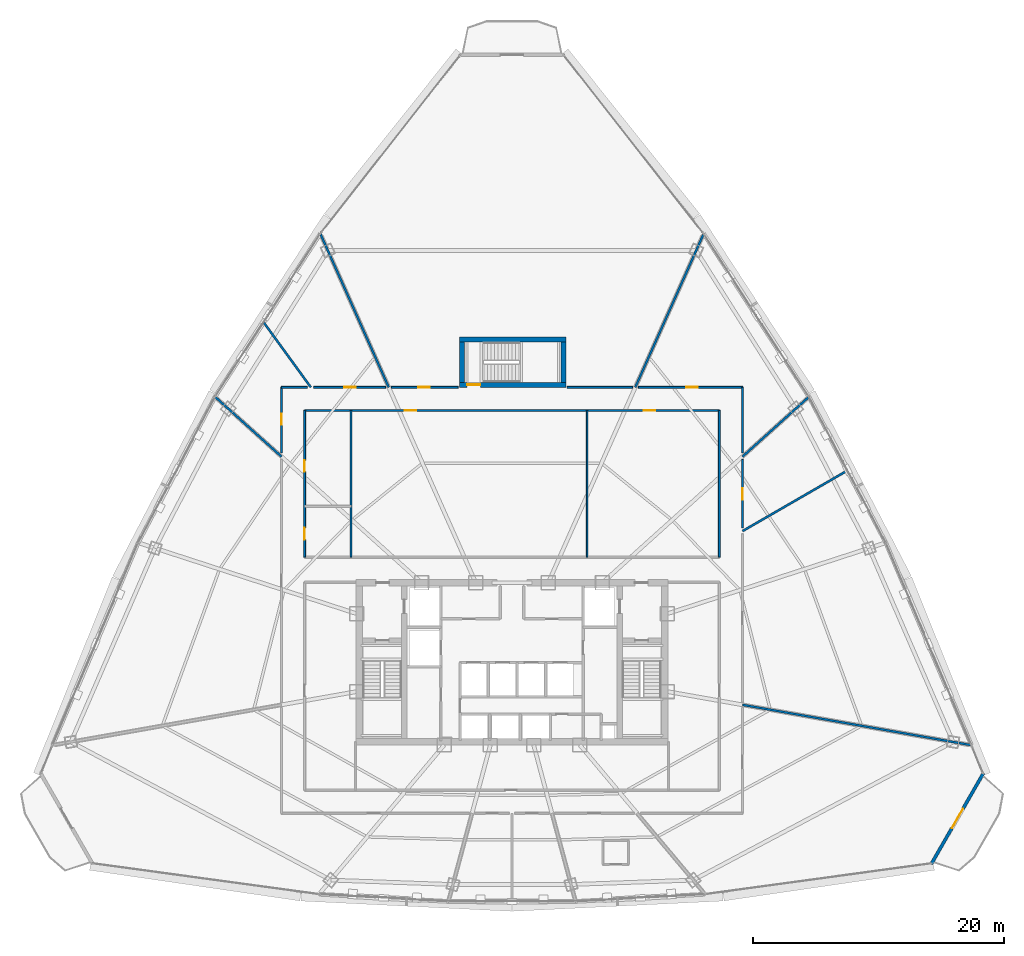
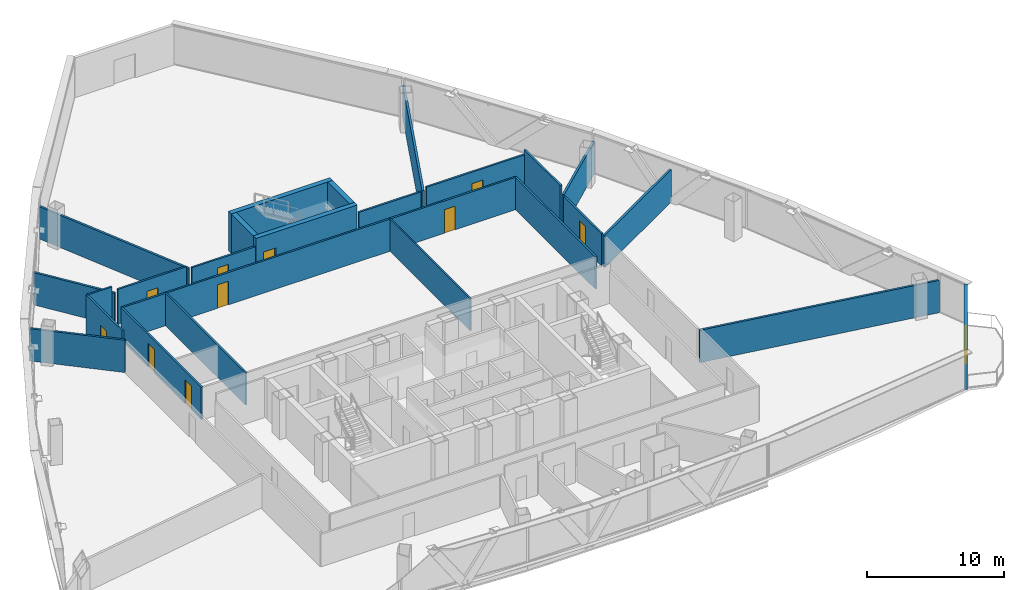
# One storey, part 31 of 36: 25 walls, 11 doors, 11 openings.
"""IFC4 building model written with IfcOpenShell, lengths in metres."""

from ifc_helpers import new_model, si_unit, direction, frame, frame_2d, origin, origin_with_axes, place, context, subcontext, project, spatial, rectangle, extrude, source, transform, mapped, material, layer, layer_set, type_object, element, fill, save


model = new_model("IFC4")

# Units and contexts
model_context = context("Model", 3, precision=1e-05, world=origin(), true_north=direction((0.0, 1.0)))
body_context = subcontext(model_context, "Body", "Model", "MODEL_VIEW")
ifc_project = project(units=[si_unit("LENGTHUNIT", "METRE"), si_unit("AREAUNIT", "SQUARE_METRE"), si_unit("VOLUMEUNIT", "CUBIC_METRE"), si_unit("PLANEANGLEUNIT", "RADIAN"), si_unit("MASSUNIT", "GRAM", prefix="KILO"), si_unit("THERMODYNAMICTEMPERATUREUNIT", "KELVIN"), si_unit("POWERUNIT", "WATT")], contexts=[model_context])

# Site, building, storey
site_placement = place(None, origin())
site = spatial("IfcSite", under=ifc_project, at=site_placement, CompositionType="ELEMENT")
building_placement = place(site_placement, origin())
building = spatial("IfcBuilding", under=site, at=building_placement, Name="Yunzhuo Pagoda Commons", CompositionType="ELEMENT")
storey_placement = place(building_placement, frame((0.0, 0.0, 215.159912109375)))
storey = spatial("IfcBuildingStorey", under=building, at=storey_placement, Name="L54", CompositionType="ELEMENT", Elevation=215.159912109375)

# Wall, opening, door
ifc_material_1 = material(Name="Precast concrete C40", Category="concrete")
ifc_layer_1 = layer(ifc_material_1, 0.260009765625)
ifc_layer_set_1 = layer_set([ifc_layer_1], Name="Precast concrete C40")
wall_type_1 = type_object("IfcWallType", Name="W-BAL1 Corner Balcony Threshold Wall 260", PredefinedType="STANDARD", material=ifc_layer_set_1)
wall_1_placement = place(storey_placement, frame((81.465576171875, 17.74951171875, 0.0), z_axis=(0.0, 0.0, 1.0), x_axis=(0.497934125263, 0.867214856249, 0.0)))
wall_1 = element("IfcWall", 1, at=wall_1_placement, inside=storey, type_object=wall_type_1, Name="L54 corner balcony wall V2", PredefinedType="STANDARD", context=body_context, shape_type="SweptSolid", body=[
    extrude(rectangle(XDim=8.37255859375, YDim=0.260009765625, at=frame_2d((4.186279296875, 0.0))), origin(), (0.0, 0.0, 1.0), 3.52001953125),
])
opening_1_placement = place(wall_1_placement, frame((3.286376953125, 0.0, 0.0)))
opening_1 = element("IfcOpeningElement", 2, at=opening_1_placement, cuts=wall_1, Name="Opening D-BAL1", PredefinedType="OPENING", context=body_context, shape_type="SweptSolid", body=[
    extrude(rectangle(XDim=1.800048828125, YDim=2.14990234375, at=frame_2d((0.89990234375, 1.074951171875))), frame((0.0, 0.14013671875, 0.0), z_axis=(0.0, -1.0, 0.0), x_axis=(1.0, 0.0, 0.0)), (0.0, 0.0, 1.0), 0.280029296875),
])
ifc_material_2 = material(Name="Anodized aluminium frame and tempered glazed leaf", Category="aluminium")
door_type_1 = type_object("IfcDoorType", Name="D-BAL1 Corner Balcony Sliding Glazed Door 1800x2150", OperationType="DOUBLE_DOOR_SLIDING", PredefinedType="DOOR", material=ifc_material_2)
shared_shape_1 = source(origin(), body_context, "Body", "SweptSolid", [
    extrude(rectangle(XDim=1.800048828125, YDim=2.14990234375, at=frame_2d((0.89990234375, 1.074951171875))), frame((0.0, 0.02490234375, 0.0), z_axis=(0.0, -1.0, 0.0), x_axis=(1.0, 0.0, 0.0)), (0.0, 0.0, 1.0), 0.050048828125),
])
door_1_placement = place(opening_1_placement, origin_with_axes())
door_1 = element("IfcDoor", 3, at=door_1_placement, inside=storey, type_object=door_type_1, Name="L54 corner balcony sliding door V2", OperationType="DOUBLE_DOOR_SLIDING", OverallHeight=2.14990234375, OverallWidth=1.800048828125, PredefinedType="DOOR", context=body_context, shape_type="MappedRepresentation", body=[
    mapped(shared_shape_1, transform((0.0, 0.0, 0.0), scale=1.0)),
])
fill(opening_1, door_1)

# Wall, openings, doors
ifc_material_3 = material(Name="Gypsum plasterboard on acoustic stud")
ifc_layer_2 = layer(ifc_material_3, 0.155029296875)
ifc_layer_set_2 = layer_set([ifc_layer_2], Name="Gypsum plasterboard on acoustic stud")
wall_type_2 = type_object("IfcWallType", Name="W-COR2 Mid-Zone Rated Corridor Wall 155", PredefinedType="PARTITIONING", material=ifc_layer_set_2)
wall_2_placement = place(storey_placement, frame((31.449951171875, 53.949951171875, 0.0), z_axis=(0.0, 0.0, 1.0), x_axis=(1.0, 0.0, 0.0)))
wall_2 = element("IfcWall", 4, at=wall_2_placement, inside=storey, type_object=wall_type_2, Name="L54 interior wall IW-L54-MCNN", PredefinedType="PARTITIONING", context=body_context, shape_type="SweptSolid", body=[
    extrude(rectangle(XDim=33.10009765625, YDim=0.155029296875, at=frame_2d((16.550048828125, 0.0))), origin(), (0.0, 0.0, 1.0), 2.8701171875),
])
opening_2_placement = place(wall_2_placement, frame((8.0, 0.0, 0.0)))
opening_2 = element("IfcOpeningElement", 5, at=opening_2_placement, cuts=wall_2, Name="Opening D-04", PredefinedType="OPENING", context=body_context, shape_type="SweptSolid", body=[
    extrude(rectangle(XDim=0.919921875, YDim=2.10009765625, at=frame_2d((0.4599609375, 1.050048828125))), frame((0.0, 0.08740234375, 0.0), z_axis=(0.0, -1.0, 0.0), x_axis=(1.0, 0.0, 0.0)), (0.0, 0.0, 1.0), 0.175048828125),
])
opening_3_placement = place(wall_2_placement, frame((27.050048828125, 0.0, 0.0)))
opening_3 = element("IfcOpeningElement", 6, at=opening_3_placement, cuts=wall_2, Name="Opening D-04", PredefinedType="OPENING", context=body_context, shape_type="SweptSolid", body=[
    extrude(rectangle(XDim=0.919921875, YDim=2.10009765625, at=frame_2d((0.4599609375, 1.050048828125))), frame((0.0, 0.08740234375, 0.0), z_axis=(0.0, -1.0, 0.0), x_axis=(1.0, 0.0, 0.0)), (0.0, 0.0, 1.0), 0.175048828125),
])
ifc_material_4 = material(Name="Powder-coated aluminium and timber acoustic leaf", Category="wood")
door_type_2 = type_object("IfcDoorType", Name="D-04 Bedroom & Study Interior Door 920x2100", OperationType="NOTDEFINED", PredefinedType="DOOR", material=ifc_material_4)
shared_shape_2 = source(origin(), body_context, "Body", "SweptSolid", [
    extrude(rectangle(XDim=0.919921875, YDim=2.10009765625, at=frame_2d((0.4599609375, 1.050048828125))), frame((0.0, 0.02490234375, 0.0), z_axis=(0.0, -1.0, 0.0), x_axis=(1.0, 0.0, 0.0)), (0.0, 0.0, 1.0), 0.050048828125),
])
door_2_placement = place(opening_2_placement, origin_with_axes())
door_2 = element("IfcDoor", 7, at=door_2_placement, inside=storey, type_object=door_type_2, Name="L54 reading commons door", OperationType="SINGLE_SWING_LEFT", OverallHeight=2.10009765625, OverallWidth=0.919921875, PredefinedType="DOOR", context=body_context, shape_type="MappedRepresentation", body=[
    mapped(shared_shape_2, transform((0.0, 0.0, 0.0), scale=1.0)),
])
fill(opening_2, door_2)
door_3_placement = place(opening_3_placement, origin_with_axes())
door_3 = element("IfcDoor", 8, at=door_3_placement, inside=storey, type_object=door_type_2, Name="L54 seminar commons door", OperationType="SINGLE_SWING_RIGHT", OverallHeight=2.10009765625, OverallWidth=0.919921875, PredefinedType="DOOR", context=body_context, shape_type="MappedRepresentation", body=[
    mapped(shared_shape_2, transform((0.0, 0.0, 0.0), scale=1.0)),
])
fill(opening_3, door_3)

wall_3_placement = place(storey_placement, frame((31.449951171875, 42.25, 0.0), z_axis=(0.0, 0.0, 1.0), x_axis=(0.0, 1.0, 0.0)))
wall_3 = element("IfcWall", 9, at=wall_3_placement, inside=storey, type_object=wall_type_2, Name="L54 interior wall IW-L54-MCNW", PredefinedType="PARTITIONING", context=body_context, shape_type="SweptSolid", body=[
    extrude(rectangle(XDim=11.699951171875, YDim=0.155029296875, at=frame_2d((5.85009765625, 0.0))), origin(), (0.0, 0.0, 1.0), 2.8701171875),
])
opening_4_placement = place(wall_3_placement, frame((1.39990234375, 0.0, 0.0)))
opening_4 = element("IfcOpeningElement", 10, at=opening_4_placement, cuts=wall_3, Name="Opening D-11", PredefinedType="OPENING", context=body_context, shape_type="SweptSolid", body=[
    extrude(rectangle(XDim=0.93994140625, YDim=2.10009765625, at=frame_2d((0.469970703125, 1.050048828125))), frame((0.0, 0.08740234375, 0.0), z_axis=(0.0, -1.0, 0.0), x_axis=(1.0, 0.0, 0.0)), (0.0, 0.0, 1.0), 0.175048828125),
])
opening_5_placement = place(wall_3_placement, frame((6.800048828125, 0.0, 0.0)))
opening_5 = element("IfcOpeningElement", 11, at=opening_5_placement, cuts=wall_3, Name="Opening D-04", PredefinedType="OPENING", context=body_context, shape_type="SweptSolid", body=[
    extrude(rectangle(XDim=0.919921875, YDim=2.10009765625, at=frame_2d((0.4599609375, 1.050048828125))), frame((0.0, 0.08740234375, 0.0), z_axis=(0.0, -1.0, 0.0), x_axis=(1.0, 0.0, 0.0)), (0.0, 0.0, 1.0), 0.175048828125),
])
ifc_material_5 = material(Name="Galvanized fire-resisting metal leaf")
door_type_3 = type_object("IfcDoorType", Name="D-11 Accessible Washroom Fire Door 940x2100", OperationType="NOTDEFINED", PredefinedType="DOOR", material=ifc_material_5)
shared_shape_3 = source(origin(), body_context, "Body", "SweptSolid", [
    extrude(rectangle(XDim=0.93994140625, YDim=2.10009765625, at=frame_2d((0.469970703125, 1.050048828125))), frame((0.0, 0.02490234375, 0.0), z_axis=(0.0, -1.0, 0.0), x_axis=(1.0, 0.0, 0.0)), (0.0, 0.0, 1.0), 0.050048828125),
])
door_4_placement = place(opening_4_placement, origin_with_axes())
door_4 = element("IfcDoor", 12, at=door_4_placement, inside=storey, type_object=door_type_3, Name="L54 accessible WC door", OperationType="SINGLE_SWING_LEFT", OverallHeight=2.10009765625, OverallWidth=0.93994140625, PredefinedType="DOOR", context=body_context, shape_type="MappedRepresentation", body=[
    mapped(shared_shape_3, transform((0.0, 0.0, 0.0), scale=1.0)),
])
fill(opening_4, door_4)
door_5_placement = place(opening_5_placement, origin_with_axes())
door_5 = element("IfcDoor", 13, at=door_5_placement, inside=storey, type_object=door_type_2, Name="L54 laundry door", OperationType="SINGLE_SWING_RIGHT", OverallHeight=2.10009765625, OverallWidth=0.919921875, PredefinedType="DOOR", context=body_context, shape_type="MappedRepresentation", body=[
    mapped(shared_shape_2, transform((0.0, 0.0, 0.0), scale=1.0)),
])
fill(opening_5, door_5)

# Walls
for number, where, z_axis, x_axis, name in (
    (14, (64.550048828125, 42.25, 0.0), (0.0, 0.0, 1.0), (0.0, 1.0, 0.0), "L54 interior wall IW-L54-MCNE"),
    (15, (35.14990234375, 42.25, 0.0), (0.0, 0.0, 1.0), (0.0, 1.0, 0.0), "L54 interior wall IW-L54-MCWCE"),
):
    element("IfcWall", number, at=place(storey_placement, frame(where, z_axis=z_axis, x_axis=x_axis)), inside=storey, type_object=wall_type_2, Name=name, PredefinedType="PARTITIONING", context=body_context, shape_type="SweptSolid", body=[
        extrude(rectangle(XDim=11.699951171875, YDim=0.155029296875, at=frame_2d((5.85009765625, 0.0))), origin(), (0.0, 0.0, 1.0), 2.8701171875),
    ])

# Wall, opening, door
wall_4_placement = place(storey_placement, frame((29.60009765625, 50.5634765625, 0.0), z_axis=(0.0, 0.0, 1.0), x_axis=(0.0, 1.0, 0.0)))
wall_4 = element("IfcWall", 16, at=wall_4_placement, inside=storey, type_object=wall_type_2, Name="L54 interior wall IW-L54-CWL03", PredefinedType="PARTITIONING", context=body_context, shape_type="SweptSolid", body=[
    extrude(rectangle(XDim=5.236572265625, YDim=0.155029296875, at=frame_2d((2.6181640625, 0.0))), origin(), (0.0, 0.0, 1.0), 3.52001953125),
])
opening_6_placement = place(wall_4_placement, frame((2.240234375, 0.0, 0.0)))
opening_6 = element("IfcOpeningElement", 17, at=opening_6_placement, cuts=wall_4, Name="Opening D-12", PredefinedType="OPENING", context=body_context, shape_type="SweptSolid", body=[
    extrude(rectangle(XDim=0.89990234375, YDim=2.080078125, at=frame_2d((0.449951171875, 1.0400390625))), frame((0.0, 0.08740234375, 0.0), z_axis=(0.0, -1.0, 0.0), x_axis=(1.0, 0.0, 0.0)), (0.0, 0.0, 1.0), 0.175048828125),
])
door_type_4 = type_object("IfcDoorType", Name="D-12 Quiet Study Interior Door 900x2080", OperationType="NOTDEFINED", PredefinedType="DOOR", material=ifc_material_4)
shared_shape_4 = source(origin(), body_context, "Body", "SweptSolid", [
    extrude(rectangle(XDim=0.89990234375, YDim=2.080078125, at=frame_2d((0.449951171875, 1.0400390625))), frame((0.0, 0.02490234375, 0.0), z_axis=(0.0, -1.0, 0.0), x_axis=(1.0, 0.0, 0.0)), (0.0, 0.0, 1.0), 0.050048828125),
])
door_6_placement = place(opening_6_placement, origin_with_axes())
door_6 = element("IfcDoor", 18, at=door_6_placement, inside=storey, type_object=door_type_4, Name="L54 study lounge 06 door", OperationType="SINGLE_SWING_LEFT", OverallHeight=2.080078125, OverallWidth=0.89990234375, PredefinedType="DOOR", context=body_context, shape_type="MappedRepresentation", body=[
    mapped(shared_shape_4, transform((0.0, 0.0, 0.0), scale=1.0)),
])
fill(opening_6, door_6)

# Wall
wall_5_placement = place(storey_placement, frame((29.60009765625, 55.800048828125, 0.0), z_axis=(0.0, 0.0, 1.0), x_axis=(1.0, 0.0, 0.0)))
element("IfcWall", 19, at=wall_5_placement, inside=storey, type_object=wall_type_2, Name="L54 interior wall IW-L54-CWL04", PredefinedType="PARTITIONING", context=body_context, shape_type="SweptSolid", body=[
    extrude(rectangle(XDim=2.0712890625, YDim=0.155029296875, at=frame_2d((1.03564453125, 0.0))), origin(), (0.0, 0.0, 1.0), 3.52001953125),
])

# Wall, opening, door
wall_6_placement = place(storey_placement, frame((32.1630859375, 55.800048828125, 0.0), z_axis=(0.0, 0.0, 1.0), x_axis=(1.0, 0.0, 0.0)))
wall_6 = element("IfcWall", 20, at=wall_6_placement, inside=storey, type_object=wall_type_2, Name="L54 interior wall IW-L54-CWL05", PredefinedType="PARTITIONING", context=body_context, shape_type="SweptSolid", body=[
    extrude(rectangle(XDim=5.756591796875, YDim=0.155029296875, at=frame_2d((2.87841796875, 0.0))), origin(), (0.0, 0.0, 1.0), 3.1201171875),
])
opening_7_placement = place(wall_6_placement, frame((2.4287109375, 0.0, 0.0)))
opening_7 = element("IfcOpeningElement", 21, at=opening_7_placement, cuts=wall_6, Name="Opening D-04", PredefinedType="OPENING", context=body_context, shape_type="SweptSolid", body=[
    extrude(rectangle(XDim=0.919921875, YDim=2.10009765625, at=frame_2d((0.4599609375, 1.050048828125))), frame((0.0, 0.08740234375, 0.0), z_axis=(0.0, -1.0, 0.0), x_axis=(1.0, 0.0, 0.0)), (0.0, 0.0, 1.0), 0.175048828125),
])
door_7_placement = place(opening_7_placement, origin_with_axes())
door_7 = element("IfcDoor", 22, at=door_7_placement, inside=storey, type_object=door_type_2, Name="L54 seminar room 05 door", OperationType="SINGLE_SWING_RIGHT", OverallHeight=2.10009765625, OverallWidth=0.919921875, PredefinedType="DOOR", context=body_context, shape_type="MappedRepresentation", body=[
    mapped(shared_shape_2, transform((0.0, 0.0, 0.0), scale=1.0)),
])
fill(opening_7, door_7)

wall_7_placement = place(storey_placement, frame((38.380126953125, 55.800048828125, 0.0), z_axis=(0.0, 0.0, 1.0), x_axis=(1.0, 0.0, 0.0)))
wall_7 = element("IfcWall", 23, at=wall_7_placement, inside=storey, type_object=wall_type_2, Name="L54 interior wall IW-L54-CWL06", PredefinedType="PARTITIONING", context=body_context, shape_type="SweptSolid", body=[
    extrude(rectangle(XDim=5.328857421875, YDim=0.155029296875, at=frame_2d((2.66455078125, 0.0))), origin(), (0.0, 0.0, 1.0), 2.8701171875),
])
opening_8_placement = place(wall_7_placement, frame((2.1298828125, 0.0, 0.0)))
opening_8 = element("IfcOpeningElement", 24, at=opening_8_placement, cuts=wall_7, Name="Opening D-04", PredefinedType="OPENING", context=body_context, shape_type="SweptSolid", body=[
    extrude(rectangle(XDim=0.919921875, YDim=2.10009765625, at=frame_2d((0.4599609375, 1.050048828125))), frame((0.0, 0.08740234375, 0.0), z_axis=(0.0, -1.0, 0.0), x_axis=(1.0, 0.0, 0.0)), (0.0, 0.0, 1.0), 0.175048828125),
])
door_8_placement = place(opening_8_placement, origin_with_axes())
door_8 = element("IfcDoor", 25, at=door_8_placement, inside=storey, type_object=door_type_2, Name="L54 seminar room 04 door", OperationType="SINGLE_SWING_LEFT", OverallHeight=2.10009765625, OverallWidth=0.919921875, PredefinedType="DOOR", context=body_context, shape_type="MappedRepresentation", body=[
    mapped(shared_shape_2, transform((0.0, 0.0, 0.0), scale=1.0)),
])
fill(opening_8, door_8)

# Wall
wall_8_placement = place(storey_placement, frame((52.39111328125, 55.800048828125, 0.0), z_axis=(0.0, 0.0, 1.0), x_axis=(1.0, 0.0, 0.0)))
element("IfcWall", 26, at=wall_8_placement, inside=storey, type_object=wall_type_2, Name="L54 interior wall IW-L54-CWL07", PredefinedType="PARTITIONING", context=body_context, shape_type="SweptSolid", body=[
    extrude(rectangle(XDim=5.228759765625, YDim=0.155029296875, at=frame_2d((2.6142578125, 0.0))), origin(), (0.0, 0.0, 1.0), 2.8701171875),
])

# Wall, opening, door
wall_9_placement = place(storey_placement, frame((58.080322265625, 55.800048828125, 0.0), z_axis=(0.0, 0.0, 1.0), x_axis=(1.0, 0.0, 0.0)))
wall_9 = element("IfcWall", 27, at=wall_9_placement, inside=storey, type_object=wall_type_2, Name="L54 interior wall IW-L54-CWL08", PredefinedType="PARTITIONING", context=body_context, shape_type="SweptSolid", body=[
    extrude(rectangle(XDim=8.319580078125, YDim=0.155029296875, at=frame_2d((4.15966796875, 0.0))), origin(), (0.0, 0.0, 1.0), 3.1201171875),
])
opening_9_placement = place(wall_9_placement, frame((3.809326171875, 0.0, 0.0)))
opening_9 = element("IfcOpeningElement", 28, at=opening_9_placement, cuts=wall_9, Name="Opening D-04", PredefinedType="OPENING", context=body_context, shape_type="SweptSolid", body=[
    extrude(rectangle(XDim=0.919921875, YDim=2.10009765625, at=frame_2d((0.4599609375, 1.050048828125))), frame((0.0, 0.08740234375, 0.0), z_axis=(0.0, -1.0, 0.0), x_axis=(1.0, 0.0, 0.0)), (0.0, 0.0, 1.0), 0.175048828125),
])
door_9_placement = place(opening_9_placement, origin_with_axes())
door_9 = element("IfcDoor", 29, at=door_9_placement, inside=storey, type_object=door_type_2, Name="L54 seminar room 03 door", OperationType="SINGLE_SWING_RIGHT", OverallHeight=2.10009765625, OverallWidth=0.919921875, PredefinedType="DOOR", context=body_context, shape_type="MappedRepresentation", body=[
    mapped(shared_shape_2, transform((0.0, 0.0, 0.0), scale=1.0)),
])
fill(opening_9, door_9)

# Wall
wall_10_placement = place(storey_placement, frame((66.39990234375, 55.800048828125, 0.0), z_axis=(0.0, 0.0, 1.0), x_axis=(0.0, -1.0, 0.0)))
element("IfcWall", 30, at=wall_10_placement, inside=storey, type_object=wall_type_2, Name="L54 interior wall IW-L54-CWL09", PredefinedType="PARTITIONING", context=body_context, shape_type="SweptSolid", body=[
    extrude(rectangle(XDim=5.236572265625, YDim=0.155029296875, at=frame_2d((2.6181640625, 0.0))), origin(), (0.0, 0.0, 1.0), 3.52001953125),
])

# Wall, opening, door
wall_11_placement = place(storey_placement, frame((66.39990234375, 50.047607421875, 0.0), z_axis=(0.0, 0.0, 1.0), x_axis=(0.0, -1.0, 0.0)))
wall_11 = element("IfcWall", 31, at=wall_11_placement, inside=storey, type_object=wall_type_2, Name="L54 interior wall IW-L54-CWL10", PredefinedType="PARTITIONING", context=body_context, shape_type="SweptSolid", body=[
    extrude(rectangle(XDim=5.470458984375, YDim=0.155029296875, at=frame_2d((2.7353515625, 0.0))), origin(), (0.0, 0.0, 1.0), 2.8701171875),
])
opening_10_placement = place(wall_11_placement, frame((2.29248046875, 0.0, 0.0)))
opening_10 = element("IfcOpeningElement", 32, at=opening_10_placement, cuts=wall_11, Name="Opening D-04", PredefinedType="OPENING", context=body_context, shape_type="SweptSolid", body=[
    extrude(rectangle(XDim=0.919921875, YDim=2.10009765625, at=frame_2d((0.4599609375, 1.050048828125))), frame((0.0, 0.08740234375, 0.0), z_axis=(0.0, -1.0, 0.0), x_axis=(1.0, 0.0, 0.0)), (0.0, 0.0, 1.0), 0.175048828125),
])
door_10_placement = place(opening_10_placement, origin_with_axes())
door_10 = element("IfcDoor", 33, at=door_10_placement, inside=storey, type_object=door_type_2, Name="L54 seminar room 02 door", OperationType="SINGLE_SWING_LEFT", OverallHeight=2.10009765625, OverallWidth=0.919921875, PredefinedType="DOOR", context=body_context, shape_type="MappedRepresentation", body=[
    mapped(shared_shape_2, transform((0.0, 0.0, 0.0), scale=1.0)),
])
fill(opening_10, door_10)

# Walls
ifc_layer_3 = layer(ifc_material_3, 0.1201171875)
ifc_layer_set_3 = layer_set([ifc_layer_3], Name="Gypsum plasterboard on acoustic stud")
wall_type_3 = type_object("IfcWallType", Name="W-PRT1 Suite & Bathroom Partition 120", PredefinedType="PARTITIONING", material=ifc_layer_set_3)
wall_12_placement = place(storey_placement, frame((54.0, 42.25, 0.0), z_axis=(0.0, 0.0, 1.0), x_axis=(0.0, 1.0, 0.0)))
element("IfcWall", 34, at=wall_12_placement, inside=storey, type_object=wall_type_3, Name="L54 interior wall IW-L54-MCDIV", PredefinedType="PARTITIONING", context=body_context, shape_type="SweptSolid", body=[
    extrude(rectangle(XDim=11.699951171875, YDim=0.1201171875, at=frame_2d((5.85009765625, 0.0))), origin(), (0.0, 0.0, 1.0), 2.8701171875),
])
ifc_layer_4 = layer(ifc_material_3, 0.175048828125)
ifc_layer_set_4 = layer_set([ifc_layer_4], Name="Gypsum plasterboard on acoustic stud")
wall_type_4 = type_object("IfcWallType", Name="W-PRT3 Mid-Zone Demising Wall 175", PredefinedType="PARTITIONING", material=ifc_layer_set_4)
wall_13_placement = place(storey_placement, frame((66.39990234375, 44.3232421875, 0.0), z_axis=(0.0, 0.0, 1.0), x_axis=(0.866029151995, 0.499993507853, 0.0)))
element("IfcWall", 35, at=wall_13_placement, inside=storey, type_object=wall_type_4, Name="L54 interior wall IW-L54-RAD01", PredefinedType="PARTITIONING", context=body_context, shape_type="SweptSolid", body=[
    extrude(rectangle(XDim=9.694091796875, YDim=0.175048828125, at=frame_2d((4.84716796875, 0.0))), origin(), (0.0, 0.0, 1.0), 2.8701171875),
])
wall_14_placement = place(storey_placement, frame((66.39990234375, 50.267333984375, 0.0), z_axis=(0.0, 0.0, 1.0), x_axis=(0.743146095384, 0.669129195982, 0.0)))
element("IfcWall", 36, at=wall_14_placement, inside=storey, type_object=wall_type_4, Name="L54 interior wall IW-L54-RAD02", PredefinedType="PARTITIONING", context=body_context, shape_type="SweptSolid", body=[
    extrude(rectangle(XDim=7.134521484375, YDim=0.175048828125, at=frame_2d((3.5673828125, 0.0))), origin(), (0.0, 0.0, 1.0), 2.8701171875),
])
for number, where, z_axis, x_axis, name in (
    (37, (57.839599609375, 55.800048828125, 0.0), (0.0, 0.0, 1.0), (0.406732574237, 0.913547269196, 0.0), "L54 interior wall IW-L54-RAD03"),
    (38, (38.160400390625, 55.800048828125, 0.0), (0.0, 0.0, 1.0), (-0.406732574237, 0.913547269196, 0.0), "L54 interior wall IW-L54-RAD04"),
):
    element("IfcWall", number, at=place(storey_placement, frame(where, z_axis=z_axis, x_axis=x_axis)), inside=storey, type_object=wall_type_4, Name=name, PredefinedType="PARTITIONING", context=body_context, shape_type="SweptSolid", body=[
        extrude(rectangle(XDim=13.419189453125, YDim=0.175048828125, at=frame_2d((6.70947265625, 0.0))), origin(), (0.0, 0.0, 1.0), 2.8701171875),
    ])
wall_15_placement = place(storey_placement, frame((31.943359375, 55.800048828125, 0.0), z_axis=(0.0, 0.0, 1.0), x_axis=(-0.587786531485, 0.809016064986, 0.0)))
element("IfcWall", 39, at=wall_15_placement, inside=storey, type_object=wall_type_4, Name="L54 interior wall IW-L54-RAD05", PredefinedType="PARTITIONING", context=body_context, shape_type="SweptSolid", body=[
    extrude(rectangle(XDim=6.44580078125, YDim=0.175048828125, at=frame_2d((3.222900390625, 0.0))), origin(), (0.0, 0.0, 1.0), 2.8701171875),
])
wall_16_placement = place(storey_placement, frame((29.60009765625, 50.267333984375, 0.0), z_axis=(0.0, 0.0, 1.0), x_axis=(-0.743146095384, 0.669129195982, 0.0)))
element("IfcWall", 40, at=wall_16_placement, inside=storey, type_object=wall_type_4, Name="L54 interior wall IW-L54-RAD06", PredefinedType="PARTITIONING", context=body_context, shape_type="SweptSolid", body=[
    extrude(rectangle(XDim=7.134521484375, YDim=0.175048828125, at=frame_2d((3.5673828125, 0.0))), origin(), (0.0, 0.0, 1.0), 2.8701171875),
])
wall_17_placement = place(storey_placement, frame((66.39990234375, 30.45556640625, 0.0), z_axis=(0.0, 0.0, 1.0), x_axis=(0.984808051039, -0.173646487465, 0.0)))
element("IfcWall", 41, at=wall_17_placement, inside=storey, type_object=wall_type_4, Name="L54 interior wall IW-L54-RAD12", PredefinedType="PARTITIONING", context=body_context, shape_type="SweptSolid", body=[
    extrude(rectangle(XDim=18.557373046875, YDim=0.175048828125, at=frame_2d((9.27880859375, 0.0))), origin(), (0.0, 0.0, 1.0), 2.8701171875),
])
ifc_material_6 = material(Name="Concrete C60", Category="concrete")
ifc_layer_5 = layer(ifc_material_6, 0.39990234375)
ifc_layer_set_5 = layer_set([ifc_layer_5], Name="Concrete C60")
wall_type_5 = type_object("IfcWallType", Name="W-S01 Internal Core Shear Web 400", PredefinedType="SHEAR", material=ifc_layer_set_5)
wall_18_placement = place(storey_placement, frame((43.800048828125, 59.60009765625, 0.0), z_axis=(0.0, 0.0, 1.0), x_axis=(1.0, 0.0, 0.0)))
element("IfcWall", 42, at=wall_18_placement, inside=storey, type_object=wall_type_5, Name="L54 ST3 structural stair wall N", PredefinedType="SHEAR", context=body_context, shape_type="SweptSolid", body=[
    extrude(rectangle(XDim=8.5, YDim=0.39990234375, at=frame_2d((4.25, 0.0))), origin(), (0.0, 0.0, 1.0), 3.52001953125),
])

# Wall, opening, door
wall_19_placement = place(storey_placement, frame((43.800048828125, 56.0, 0.0), z_axis=(0.0, 0.0, 1.0), x_axis=(1.0, 0.0, 0.0)))
wall_19 = element("IfcWall", 43, at=wall_19_placement, inside=storey, type_object=wall_type_5, Name="L54 ST3 structural stair wall S", PredefinedType="SHEAR", context=body_context, shape_type="SweptSolid", body=[
    extrude(rectangle(XDim=8.5, YDim=0.39990234375, at=frame_2d((4.25, 0.0))), origin(), (0.0, 0.0, 1.0), 3.52001953125),
])
opening_11_placement = place(wall_19_placement, frame((0.6201171875, 0.0, 0.0)))
opening_11 = element("IfcOpeningElement", 44, at=opening_11_placement, cuts=wall_19, Name="Opening D-01", PredefinedType="OPENING", context=body_context, shape_type="SweptSolid", body=[
    extrude(rectangle(XDim=1.050048828125, YDim=2.10009765625, at=frame_2d((0.52490234375, 1.050048828125))), frame((0.0, 0.2099609375, 0.0), z_axis=(0.0, -1.0, 0.0), x_axis=(1.0, 0.0, 0.0)), (0.0, 0.0, 1.0), 0.419921875),
])
door_type_5 = type_object("IfcDoorType", Name="D-01 Smokeproof Stair Fire Door 1050x2100", OperationType="NOTDEFINED", PredefinedType="DOOR", material=ifc_material_5)
shared_shape_5 = source(origin(), body_context, "Body", "SweptSolid", [
    extrude(rectangle(XDim=1.050048828125, YDim=2.10009765625, at=frame_2d((0.52490234375, 1.050048828125))), frame((0.0, 0.02490234375, 0.0), z_axis=(0.0, -1.0, 0.0), x_axis=(1.0, 0.0, 0.0)), (0.0, 0.0, 1.0), 0.050048828125),
])
door_11_placement = place(opening_11_placement, frame((1.050048828125, 0.0, 0.0), z_axis=(0.0, 0.0, 1.0), x_axis=(-1.0, 0.0, 0.0)))
door_11 = element("IfcDoor", 45, at=door_11_placement, inside=storey, type_object=door_type_5, Name="L54 Stair ST3 fire door", OperationType="SINGLE_SWING_LEFT", OverallHeight=2.10009765625, OverallWidth=1.050048828125, PredefinedType="DOOR", context=body_context, shape_type="MappedRepresentation", body=[
    mapped(shared_shape_5, transform((0.0, 0.0, 0.0), scale=1.0)),
])
fill(opening_11, door_11)

# Walls
for number, where, z_axis, x_axis, name in (
    (46, (44.0, 56.199951171875, 0.0), (0.0, 0.0, 1.0), (0.0, 1.0, 0.0), "L54 ST3 structural stair wall W"),
    (47, (52.10009765625, 56.199951171875, 0.0), (0.0, 0.0, 1.0), (0.0, 1.0, 0.0), "L54 ST3 structural stair wall E"),
):
    element("IfcWall", number, at=place(storey_placement, frame(where, z_axis=z_axis, x_axis=x_axis)), inside=storey, type_object=wall_type_5, Name=name, PredefinedType="SHEAR", context=body_context, shape_type="SweptSolid", body=[
        extrude(rectangle(XDim=3.199951171875, YDim=0.39990234375, at=frame_2d((1.60009765625, 0.0))), origin(), (0.0, 0.0, 1.0), 3.52001953125),
    ])

save(model, "model.ifc")
